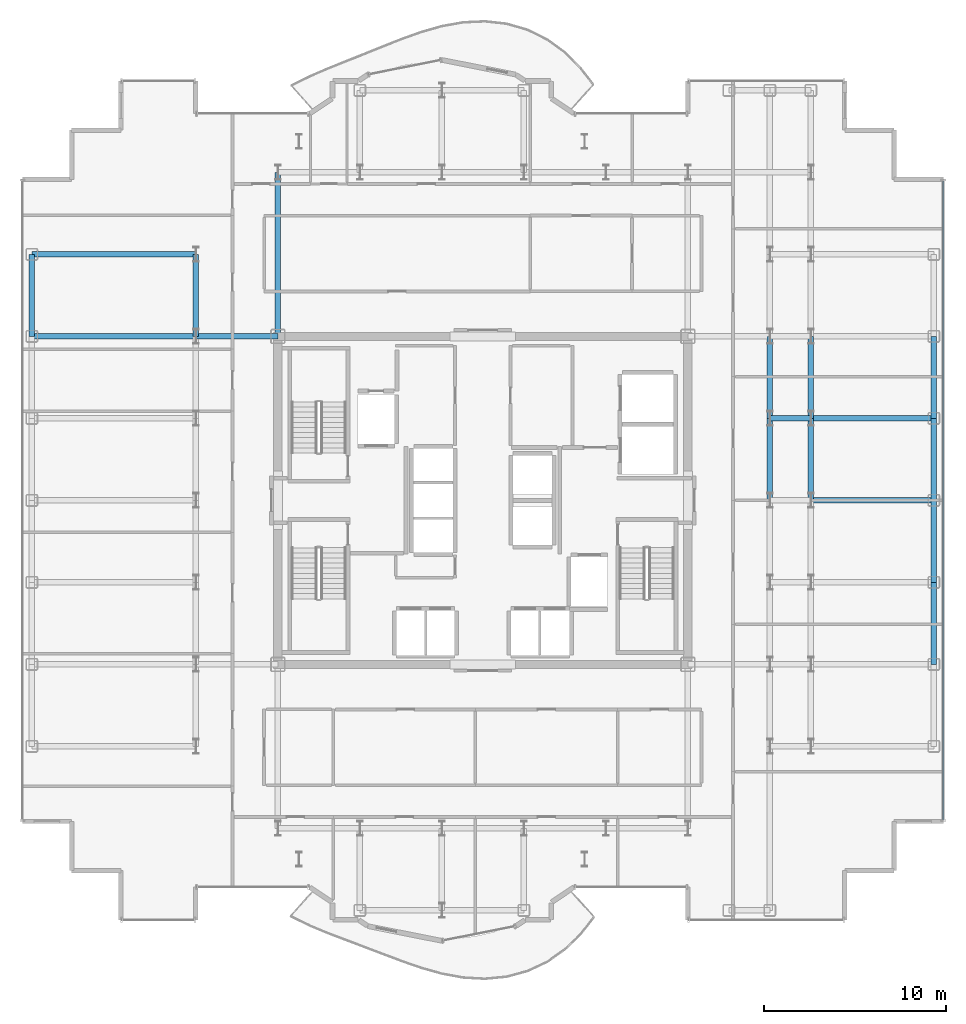
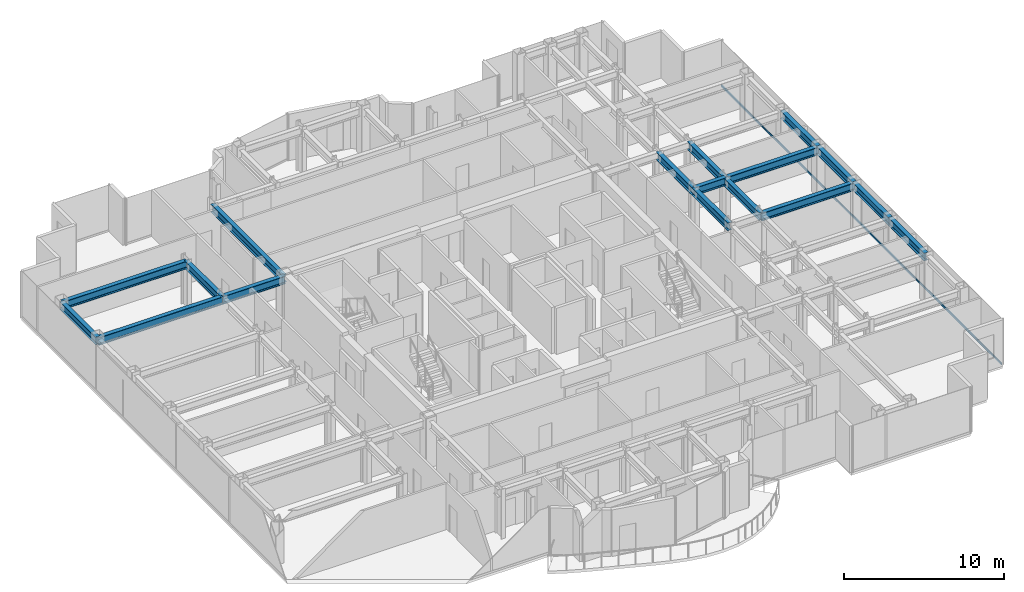
# One storey, part 7 of 21: 17 beams, 1 member, 1 element without a shape of its own.
"""IFC4 building model written with IfcOpenShell, lengths in metres."""

from ifc_helpers import new_model, si_unit, direction, frame, origin, origin_2d, place, context, subcontext, project, spatial, hollow_rectangle, i_section, extrude, source, transform, mapped, material, layer, layer_set, material_profile, profile_set, type_object, element, aggregate, save


model = new_model("IFC4")

# Units and contexts
model_context = context("Model", 3, precision=1e-05, world=origin(), true_north=direction((0.0, 1.0)))
body_context = subcontext(model_context, "Body", "Model", "MODEL_VIEW")
ifc_project = project(units=[si_unit("LENGTHUNIT", "METRE"), si_unit("AREAUNIT", "SQUARE_METRE"), si_unit("VOLUMEUNIT", "CUBIC_METRE"), si_unit("PLANEANGLEUNIT", "RADIAN"), si_unit("MASSUNIT", "GRAM", prefix="KILO")], contexts=[model_context])

# Site, building, storey
site_placement = place(None, origin())
site = spatial("IfcSite", under=ifc_project, at=site_placement, CompositionType="ELEMENT")
building_placement = place(site_placement, origin())
building = spatial("IfcBuilding", under=site, at=building_placement, Name="Nefas-Gora Pilgrimage Tower", CompositionType="ELEMENT")
storey_placement = place(building_placement, frame((0.0, 0.0, 210.39990234375)))
storey = spatial("IfcBuildingStorey", under=building, at=storey_placement, Name="L52", CompositionType="ELEMENT", Elevation=210.39990234375)

# Beams
ifc_material_1 = material(Name="Steel S355", Category="steel")
ifc_material_profile_1 = material_profile(ifc_material_1, i_section(OverallWidth=0.300048828125, OverallDepth=0.60009765625, WebThickness=0.015380859375, FlangeThickness=0.030029296875, FilletRadius=0.027099609375, at=origin_2d()), Name="HEB 600")
ifc_profile_set_1 = profile_set([ifc_material_profile_1], Name="Steel S355")
beam_type_1 = type_object("IfcBeamType", Name="BM-SPN-HEB450", PredefinedType="SPANDREL", material=ifc_profile_set_1)
shared_shape_1 = source(origin(), body_context, "Body", "SweptSolid", [
    extrude(i_section(OverallWidth=0.300048828125, OverallDepth=0.60009765625, WebThickness=0.015380859375, FlangeThickness=0.030029296875, FilletRadius=0.027099609375, at=origin_2d()), origin(), (0.0, 0.0, 1.0), 4.5),
])
for number, where, z_axis, x_axis, name in (
    (1, (-24.75, 9.0, 3.25), (0.0, 1.0, 0.0), (-1.0, 0.0, 0.0), "L52 SP-03 beam"),
    (2, (24.75, -9.0, 3.25), (0.0, 1.0, 0.0), (-1.0, 0.0, 0.0), "L52 SP-03 beam"),
    (3, (24.75, -4.5, 3.25), (0.0, 1.0, 0.0), (-1.0, 0.0, 0.0), "L52 SP-03 beam"),
    (4, (24.75, 0.0, 3.25), (0.0, 1.0, 0.0), (-1.0, 0.0, 0.0), "L52 SP-03 beam"),
    (5, (24.75, 4.5, 3.25), (0.0, 1.0, 0.0), (-1.0, 0.0, 0.0), "L52 SP-03 beam"),
):
    element("IfcBeam", number, at=place(storey_placement, frame(where, z_axis=z_axis, x_axis=x_axis)), inside=storey, type_object=beam_type_1, Name=name, PredefinedType="SPANDREL", context=body_context, shape_type="MappedRepresentation", body=[
        mapped(shared_shape_1, transform((0.0, 0.0, 0.0), x_axis=(1.0, 0.0, 0.0), y_axis=(0.0, 1.0, 0.0), z_axis=(0.0, 0.0, 1.0), scale=1.0)),
    ])
ifc_material_profile_2 = material_profile(ifc_material_1, i_section(OverallWidth=0.300048828125, OverallDepth=0.60009765625, WebThickness=0.015380859375, FlangeThickness=0.030029296875, FilletRadius=0.027099609375, at=origin_2d()), Name="HEB 600")
ifc_profile_set_2 = profile_set([ifc_material_profile_2], Name="Steel S355")
beam_type_2 = type_object("IfcBeamType", Name="BM-GIR-HEB600", PredefinedType="BEAM", material=ifc_profile_set_2)
shared_shape_2 = source(origin(), body_context, "Body", "SweptSolid", [
    extrude(i_section(OverallWidth=0.300048828125, OverallDepth=0.60009765625, WebThickness=0.015380859375, FlangeThickness=0.030029296875, FilletRadius=0.027099609375, at=origin_2d()), origin(), (0.0, 0.0, 1.0), 9.0),
])
for number, where, z_axis, x_axis, name in (
    (6, (-24.75, 9.0, 3.25), (1.0, 0.0, 0.0), (0.0, 1.0, 0.0), "L52 G-04 beam"),
    (7, (-24.75, 13.5, 3.25), (1.0, 0.0, 0.0), (0.0, 1.0, 0.0), "L52 G-04 beam"),
    (8, (-11.25, 9.0, 3.25), (0.0, 1.0, 0.0), (-1.0, 0.0, 0.0), "L52 G-04 beam"),
):
    element("IfcBeam", number, at=place(storey_placement, frame(where, z_axis=z_axis, x_axis=x_axis)), inside=storey, type_object=beam_type_2, Name=name, PredefinedType="BEAM", context=body_context, shape_type="MappedRepresentation", body=[
        mapped(shared_shape_2, transform((0.0, 0.0, 0.0), x_axis=(1.0, 0.0, 0.0), y_axis=(0.0, 1.0, 0.0), z_axis=(0.0, 0.0, 1.0), scale=1.0)),
    ])
shared_shape_3 = source(origin(), body_context, "Body", "SweptSolid", [
    extrude(i_section(OverallWidth=0.300048828125, OverallDepth=0.60009765625, WebThickness=0.015380859375, FlangeThickness=0.030029296875, FilletRadius=0.027099609375, at=origin_2d()), origin(), (0.0, 0.0, 1.0), 4.5),
])
for number, where, z_axis, x_axis, name in (
    (9, (-15.75, 9.0, 3.25), (0.0, 1.0, 0.0), (-1.0, 0.0, 0.0), "L52 G-04 beam"),
    (10, (-15.75, 9.0, 3.25), (1.0, 0.0, 0.0), (0.0, 1.0, 0.0), "L52 G-04 beam"),
    (11, (15.75, 0.0, 3.25), (0.0, 1.0, 0.0), (-1.0, 0.0, 0.0), "L52 G-04 beam"),
    (12, (15.75, 4.5, 3.25), (0.0, 1.0, 0.0), (-1.0, 0.0, 0.0), "L52 G-04 beam"),
    (13, (18.0, 0.0, 3.25), (0.0, 1.0, 0.0), (-1.0, 0.0, 0.0), "L52 G-04 beam"),
    (14, (18.0, 4.5, 3.25), (0.0, 1.0, 0.0), (-1.0, 0.0, 0.0), "L52 G-04 beam"),
):
    element("IfcBeam", number, at=place(storey_placement, frame(where, z_axis=z_axis, x_axis=x_axis)), inside=storey, type_object=beam_type_2, Name=name, PredefinedType="BEAM", context=body_context, shape_type="MappedRepresentation", body=[
        mapped(shared_shape_3, transform((0.0, 0.0, 0.0), x_axis=(1.0, 0.0, 0.0), y_axis=(0.0, 1.0, 0.0), z_axis=(0.0, 0.0, 1.0), scale=1.0)),
    ])
shared_shape_4 = source(origin(), body_context, "Body", "SweptSolid", [
    extrude(i_section(OverallWidth=0.300048828125, OverallDepth=0.60009765625, WebThickness=0.015380859375, FlangeThickness=0.030029296875, FilletRadius=0.027099609375, at=origin_2d()), origin(), (0.0, 0.0, 1.0), 6.75),
])
for number, where, z_axis, x_axis, name in (
    (15, (18.0, 0.0, 3.25), (1.0, 0.0, 0.0), (0.0, 1.0, 0.0), "L52 G-04 beam"),
    (16, (18.0, 4.5, 3.25), (1.0, 0.0, 0.0), (0.0, 1.0, 0.0), "L52 G-04 beam"),
):
    element("IfcBeam", number, at=place(storey_placement, frame(where, z_axis=z_axis, x_axis=x_axis)), inside=storey, type_object=beam_type_2, Name=name, PredefinedType="BEAM", context=body_context, shape_type="MappedRepresentation", body=[
        mapped(shared_shape_4, transform((0.0, 0.0, 0.0), x_axis=(1.0, 0.0, 0.0), y_axis=(0.0, 1.0, 0.0), z_axis=(0.0, 0.0, 1.0), scale=1.0)),
    ])
shared_shape_5 = source(origin(), body_context, "Body", "SweptSolid", [
    extrude(i_section(OverallWidth=0.300048828125, OverallDepth=0.60009765625, WebThickness=0.015380859375, FlangeThickness=0.030029296875, FilletRadius=0.027099609375, at=origin_2d()), origin(), (0.0, 0.0, 1.0), 2.25),
])
beam_placement = place(storey_placement, frame((15.75, 4.5, 3.25), z_axis=(1.0, 0.0, 0.0), x_axis=(0.0, 1.0, 0.0)))
element("IfcBeam", 17, at=beam_placement, inside=storey, type_object=beam_type_2, Name="L52 G-04 beam", PredefinedType="BEAM", context=body_context, shape_type="MappedRepresentation", body=[
    mapped(shared_shape_5, transform((0.0, 0.0, 0.0), x_axis=(1.0, 0.0, 0.0), y_axis=(0.0, 1.0, 0.0), z_axis=(0.0, 0.0, 1.0), scale=1.0)),
])

# Curtain wall, member
ifc_material_2 = material(Name="Dark ceramic-fritted solar-control aluminium-glass curtain wall", Category="aluminium")
ifc_layer = layer(ifc_material_2, 0.219970703125)
ifc_layer_set = layer_set([ifc_layer], Name="Dark ceramic-fritted solar-control aluminium-glass curtain wall")
curtain_wall_type = type_object("IfcCurtainWallType", Name="CW-SYS-3", PredefinedType="NOTDEFINED", material=ifc_layer_set)
curtain_wall_placement = place(storey_placement, origin())
curtain_wall = element("IfcCurtainWall", 18, at=curtain_wall_placement, inside=storey, type_object=curtain_wall_type, Name="L52 Unitised Curtain Wall CW3", PredefinedType="NOTDEFINED")
ifc_material_3 = material(Name="Anodised architectural aluminium", Category="aluminium")
ifc_material_profile_3 = material_profile(ifc_material_3, hollow_rectangle(XDim=0.080078125, YDim=0.159912109375, WallThickness=0.00439453125, InnerFilletRadius=0.00439453125, OuterFilletRadius=0.009033203125, at=origin_2d()), Name="ALU TRANSOM 80x160")
ifc_profile_set_3 = profile_set([ifc_material_profile_3], Name="Anodised architectural aluminium")
member_type = type_object("IfcMemberType", Name="CWM-TRN-3", PredefinedType="USERDEFINED", material=ifc_profile_set_3)
shared_shape_6 = source(origin(), body_context, "Body", "SweptSolid", [
    extrude(hollow_rectangle(XDim=0.080078125, YDim=0.159912109375, WallThickness=0.00439453125, InnerFilletRadius=0.00439453125, OuterFilletRadius=0.009033203125, at=origin_2d()), origin(), (0.0, 0.0, 1.0), 35.06005859375),
])
member_placement = place(storey_placement, frame((25.27001953125, -17.530029296875, 0.050048828125), z_axis=(0.0, 1.0, 0.0), x_axis=(-1.0, 0.0, 0.0)))
member = element("IfcMember", 19, at=member_placement, type_object=member_type, Name="CW3 Spandrel Transom", ObjectType="TRANSOM", PredefinedType="USERDEFINED", context=body_context, shape_type="MappedRepresentation", body=[
    mapped(shared_shape_6, transform((0.0, 0.0, 0.0), x_axis=(1.0, 0.0, 0.0), y_axis=(0.0, 1.0, 0.0), z_axis=(0.0, 0.0, 1.0), scale=1.0)),
])
aggregate(curtain_wall, [member])

save(model, "model.ifc")
